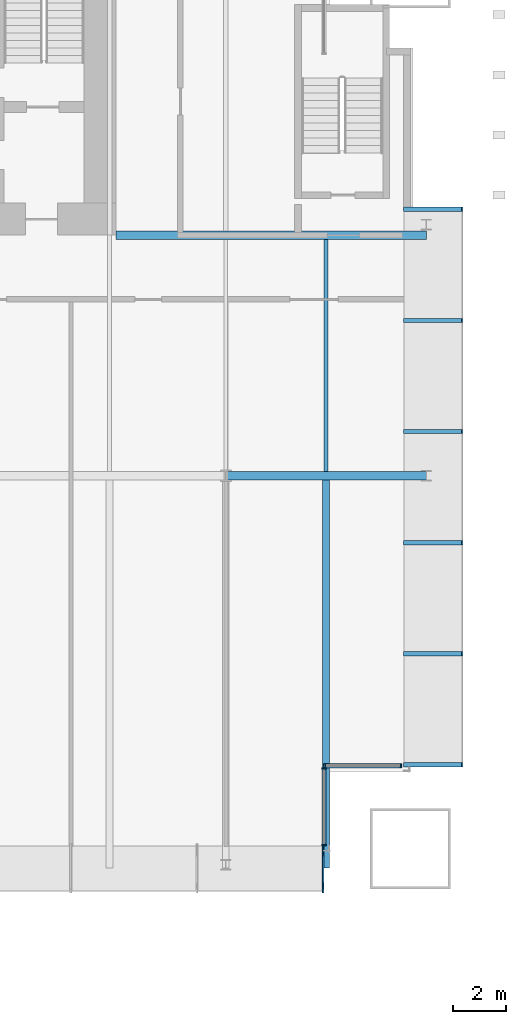
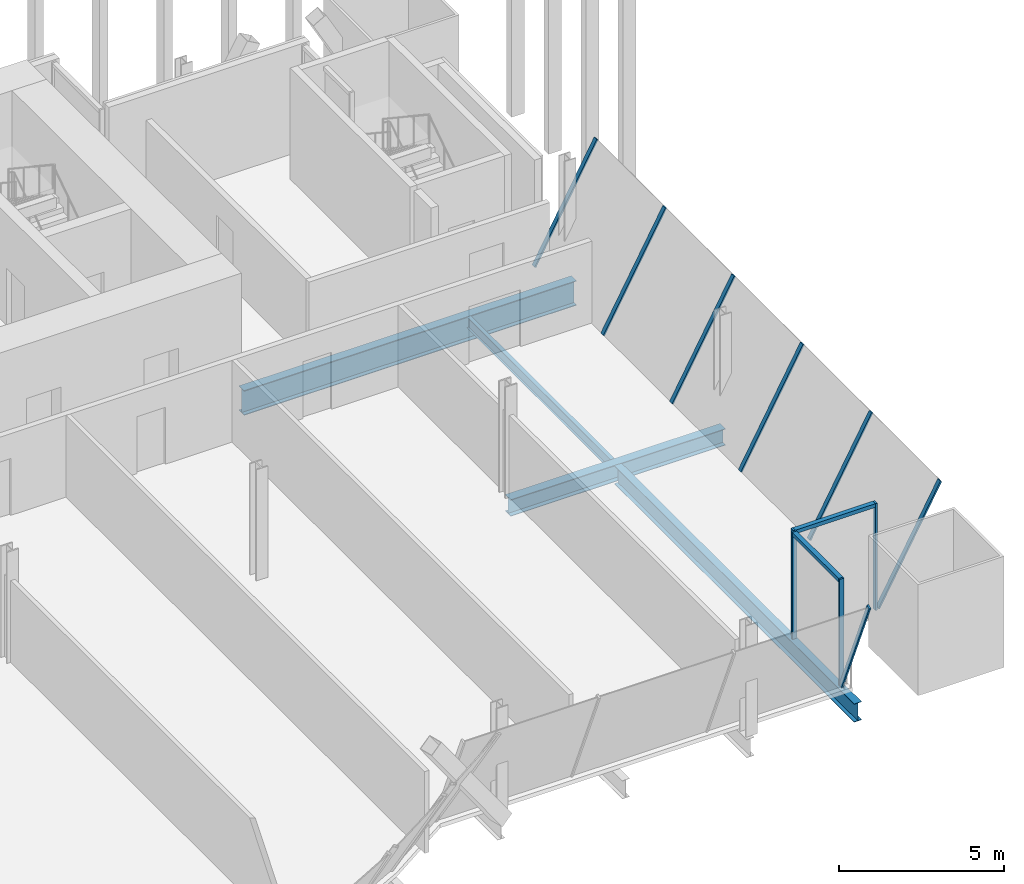
# One storey, part 13 of 22: 13 members, 4 beams, 4 elements without a shape of their own.
"""IFC4 building model written with IfcOpenShell, lengths in metres."""

from ifc_helpers import new_model, si_unit, direction, frame, origin, origin_2d, place, context, subcontext, project, spatial, rectangle, i_section, extrude, material, material_profile, profile_set, type_object, element, aggregate, save


model = new_model("IFC4")

# Units and contexts
model_context = context("Model", 3, precision=1e-05, world=origin(), true_north=direction((0.0, 1.0)))
body_context = subcontext(model_context, "Body", "Model", "MODEL_VIEW")
ifc_project = project(units=[si_unit("LENGTHUNIT", "METRE"), si_unit("AREAUNIT", "SQUARE_METRE"), si_unit("VOLUMEUNIT", "CUBIC_METRE"), si_unit("PLANEANGLEUNIT", "RADIAN"), si_unit("MASSUNIT", "GRAM", prefix="KILO")], contexts=[model_context])

# Site, building, storey
site_placement = place(None, origin())
site = spatial("IfcSite", under=ifc_project, at=site_placement, CompositionType="ELEMENT")
building_placement = place(site_placement, origin())
building = spatial("IfcBuilding", under=site, at=building_placement, Name="Bicima Exchange Tower", CompositionType="ELEMENT")
storey_placement = place(building_placement, frame((0.0, 0.0, 89.89990234375)))
storey = spatial("IfcBuildingStorey", under=building, at=storey_placement, Name="L18", CompositionType="ELEMENT", Elevation=89.89990234375)

# Beams
ifc_material_1 = material(Name="Steel ASTM A992 Gr 50", Category="steel")
ifc_material_profile_1 = material_profile(ifc_material_1, i_section(OverallWidth=0.3046875, OverallDepth=0.911865234375, WebThickness=0.015869140625, FlangeThickness=0.02392578125, at=origin_2d()))
ifc_profile_set_1 = profile_set([ifc_material_profile_1], Name="Steel ASTM A992 Gr 50")
beam_type_1 = type_object("IfcBeamType", Name="Core-line girder W36x150", PredefinedType="BEAM", material=ifc_profile_set_1)
beam_1_placement = place(storey_placement, frame((22.0, -13.0, -0.605712890625), z_axis=(1.0, 0.0, 0.0), x_axis=(0.0, 1.0, 0.0)))
element("IfcBeam", 1, at=beam_1_placement, inside=storey, type_object=beam_type_1, Name="Core-line girder", PredefinedType="BEAM", context=body_context, shape_type="SweptSolid", body=[
    extrude(i_section(OverallWidth=0.3046875, OverallDepth=0.911865234375, WebThickness=0.015869140625, FlangeThickness=0.02392578125, at=origin_2d()), origin(), (0.0, 0.0, 1.0), 11.60009765625),
])
ifc_material_profile_2 = material_profile(ifc_material_1, i_section(OverallWidth=0.140380859375, OverallDepth=0.40380859375, WebThickness=0.007080078125, FlangeThickness=0.01123046875, at=origin_2d()))
ifc_profile_set_2 = profile_set([ifc_material_profile_2], Name="Steel ASTM A992 Gr 50")
beam_type_2 = type_object("IfcBeamType", Name="Floor beam W16x31", PredefinedType="JOIST", material=ifc_profile_set_2)
beam_2_placement = place(storey_placement, frame((29.85009765625, -13.15234375, -0.351806640625), z_axis=(0.0, -1.0, 0.0), x_axis=(1.0, 0.0, 0.0)))
element("IfcBeam", 2, at=beam_2_placement, inside=storey, type_object=beam_type_2, Name="Floor beam", PredefinedType="JOIST", context=body_context, shape_type="SweptSolid", body=[
    extrude(i_section(OverallWidth=0.140380859375, OverallDepth=0.40380859375, WebThickness=0.007080078125, FlangeThickness=0.01123046875, at=origin_2d()), origin(), (0.0, 0.0, 1.0), 8.68505859375),
])
ifc_material_profile_3 = material_profile(ifc_material_1, i_section(OverallWidth=0.25390625, OverallDepth=0.67822265625, WebThickness=0.01171875, FlangeThickness=0.016357421875, at=origin_2d()))
ifc_profile_set_3 = profile_set([ifc_material_profile_3], Name="Steel ASTM A992 Gr 50")
beam_type_3 = type_object("IfcBeamType", Name="Floor beam W27x84", PredefinedType="JOIST", material=ifc_profile_set_3)
beam_3_placement = place(storey_placement, frame((29.85009765625, -22.16259765625, -0.489013671875), z_axis=(0.0, -1.0, 0.0), x_axis=(1.0, 0.0, 0.0)))
element("IfcBeam", 3, at=beam_3_placement, inside=storey, type_object=beam_type_3, Name="Floor beam", PredefinedType="JOIST", context=body_context, shape_type="SweptSolid", body=[
    extrude(i_section(OverallWidth=0.25390625, OverallDepth=0.67822265625, WebThickness=0.01171875, FlangeThickness=0.016357421875, at=origin_2d()), origin(), (0.0, 0.0, 1.0), 14.509521484375),
])

# Curtain wall, members
ifc_material_2 = material(Name="Anodised bronze aluminium", Category="aluminium")
curtain_wall_type = type_object("IfcCurtainWallType", Name="Front glass wall", PredefinedType="NOTDEFINED", material=ifc_material_2)
curtain_wall_1_placement = place(storey_placement, origin())
curtain_wall_1 = element("IfcCurtainWall", 4, at=curtain_wall_1_placement, inside=storey, type_object=curtain_wall_type, Name="Front glass wall L18 run 21", PredefinedType="NOTDEFINED")
ifc_material_profile_4 = material_profile(ifc_material_2, rectangle(XDim=0.159912109375, YDim=0.06005859375, at=origin_2d()))
ifc_profile_set_4 = profile_set([ifc_material_profile_4], Name="Anodised bronze aluminium")
member_type_1 = type_object("IfcMemberType", Name="Front glass wall mullion 60 x 160", PredefinedType="MULLION", material=ifc_profile_set_4)
member_1_placement = place(storey_placement, frame((29.77001953125, -35.81201171875, 0.0), z_axis=(0.0, 0.0, 1.0), x_axis=(-1.0, 0.0, 0.0)))
member_1 = element("IfcMember", 5, at=member_1_placement, type_object=member_type_1, Name="Front glass wall mullion 1", PredefinedType="MULLION", context=body_context, shape_type="SweptSolid", body=[
    extrude(rectangle(XDim=0.159912109375, YDim=0.06005859375, at=origin_2d()), origin(), (0.0, 0.0, 1.0), 3.9501953125),
])
member_2_placement = place(storey_placement, frame((29.77001953125, -32.951904296875, 0.0), z_axis=(0.0, 0.0, 1.0), x_axis=(-1.0, 0.0, 0.0)))
member_2 = element("IfcMember", 6, at=member_2_placement, type_object=member_type_1, Name="Front glass wall mullion 2", PredefinedType="MULLION", context=body_context, shape_type="SweptSolid", body=[
    extrude(rectangle(XDim=0.159912109375, YDim=0.06005859375, at=origin_2d()), origin(), (0.0, 0.0, 1.0), 3.9501953125),
])

curtain_wall_2_placement = place(storey_placement, origin())
curtain_wall_2 = element("IfcCurtainWall", 7, at=curtain_wall_2_placement, inside=storey, type_object=curtain_wall_type, Name="Front glass wall L18 run 22", PredefinedType="NOTDEFINED")
member_3_placement = place(storey_placement, frame((29.800048828125, -32.842041015625, 0.0), z_axis=(0.0, 0.0, 1.0), x_axis=(0.0, 1.0, 0.0)))
member_3 = element("IfcMember", 8, at=member_3_placement, type_object=member_type_1, Name="Front glass wall mullion 1", PredefinedType="MULLION", context=body_context, shape_type="SweptSolid", body=[
    extrude(rectangle(XDim=0.159912109375, YDim=0.06005859375, at=origin_2d()), origin(), (0.0, 0.0, 1.0), 3.9501953125),
])
member_4_placement = place(storey_placement, frame((32.659912109375, -32.842041015625, 0.0), z_axis=(0.0, 0.0, 1.0), x_axis=(0.0, 1.0, 0.0)))
member_4 = element("IfcMember", 9, at=member_4_placement, type_object=member_type_1, Name="Front glass wall mullion 2", PredefinedType="MULLION", context=body_context, shape_type="SweptSolid", body=[
    extrude(rectangle(XDim=0.159912109375, YDim=0.06005859375, at=origin_2d()), origin(), (0.0, 0.0, 1.0), 3.9501953125),
])

curtain_wall_3_placement = place(storey_placement, origin())
curtain_wall_3 = element("IfcCurtainWall", 10, at=curtain_wall_3_placement, inside=storey, type_object=curtain_wall_type, Name="Canted glass wall L18 1.1", PredefinedType="NOTDEFINED")
member_5_placement = place(storey_placement, frame((32.77001953125, -32.81201171875, 0.0), z_axis=(0.481086555324, 0.0, 0.876673101154), x_axis=(0.0, -1.0, 0.0)))
member_5 = element("IfcMember", 11, at=member_5_placement, type_object=member_type_1, Name="Canted glass mullion 1", PredefinedType="MULLION", context=body_context, shape_type="SweptSolid", body=[
    extrude(rectangle(XDim=0.159912109375, YDim=0.06005859375, at=origin_2d()), origin(), (0.0, 0.0, 1.0), 4.505859375),
])
member_6_placement = place(storey_placement, frame((32.77001953125, -28.655517578125, 0.0), z_axis=(0.481086555324, 0.0, 0.876673101154), x_axis=(0.0, -1.0, 0.0)))
member_6 = element("IfcMember", 12, at=member_6_placement, type_object=member_type_1, Name="Canted glass mullion 2", PredefinedType="MULLION", context=body_context, shape_type="SweptSolid", body=[
    extrude(rectangle(XDim=0.159912109375, YDim=0.06005859375, at=origin_2d()), origin(), (0.0, 0.0, 1.0), 4.505859375),
])
member_7_placement = place(storey_placement, frame((32.77001953125, -24.499267578125, 0.0), z_axis=(0.481086555324, 0.0, 0.876673101154), x_axis=(0.0, -1.0, 0.0)))
member_7 = element("IfcMember", 13, at=member_7_placement, type_object=member_type_1, Name="Canted glass mullion 3", PredefinedType="MULLION", context=body_context, shape_type="SweptSolid", body=[
    extrude(rectangle(XDim=0.159912109375, YDim=0.06005859375, at=origin_2d()), origin(), (0.0, 0.0, 1.0), 4.505859375),
])
member_8_placement = place(storey_placement, frame((32.77001953125, -20.3427734375, 0.0), z_axis=(0.481086555324, 0.0, 0.876673101154), x_axis=(0.0, -1.0, 0.0)))
member_8 = element("IfcMember", 14, at=member_8_placement, type_object=member_type_1, Name="Canted glass mullion 4", PredefinedType="MULLION", context=body_context, shape_type="SweptSolid", body=[
    extrude(rectangle(XDim=0.159912109375, YDim=0.06005859375, at=origin_2d()), origin(), (0.0, 0.0, 1.0), 4.505859375),
])
member_9_placement = place(storey_placement, frame((32.77001953125, -16.186279296875, 0.0), z_axis=(0.481086555324, 0.0, 0.876673101154), x_axis=(0.0, -1.0, 0.0)))
member_9 = element("IfcMember", 15, at=member_9_placement, type_object=member_type_1, Name="Canted glass mullion 5", PredefinedType="MULLION", context=body_context, shape_type="SweptSolid", body=[
    extrude(rectangle(XDim=0.159912109375, YDim=0.06005859375, at=origin_2d()), origin(), (0.0, 0.0, 1.0), 4.505859375),
])
member_10_placement = place(storey_placement, frame((32.77001953125, -12.030029296875, 0.0), z_axis=(0.481086555324, 0.0, 0.876673101154), x_axis=(0.0, -1.0, 0.0)))
member_10 = element("IfcMember", 16, at=member_10_placement, type_object=member_type_1, Name="Canted glass mullion 6", PredefinedType="MULLION", context=body_context, shape_type="SweptSolid", body=[
    extrude(rectangle(XDim=0.159912109375, YDim=0.06005859375, at=origin_2d()), origin(), (0.0, 0.0, 1.0), 4.505859375),
])
aggregate(curtain_wall_3, [member_5, member_6, member_7, member_8, member_9, member_10])

# Curtain wall, member
curtain_wall_4_placement = place(storey_placement, origin())
curtain_wall_4 = element("IfcCurtainWall", 17, at=curtain_wall_4_placement, inside=storey, type_object=curtain_wall_type, Name="Canted glass wall L18 54.1", PredefinedType="NOTDEFINED")
member_11_placement = place(storey_placement, frame((29.739990234375, -35.842041015625, 0.0), z_axis=(0.0, -0.392560507207, 0.91972618109), x_axis=(0.0, 0.91972618109, 0.392560507207)))
member_11 = element("IfcMember", 18, at=member_11_placement, type_object=member_type_1, Name="Canted glass mullion 4", PredefinedType="MULLION", context=body_context, shape_type="SweptSolid", body=[
    extrude(rectangle(XDim=0.159912109375, YDim=0.06005859375, at=origin_2d()), origin(), (0.0, 0.0, 1.0), 4.294921875),
])
aggregate(curtain_wall_4, [member_11])

# Member
ifc_material_profile_5 = material_profile(ifc_material_2, rectangle(XDim=0.159912109375, YDim=0.139892578125, at=origin_2d()))
ifc_profile_set_5 = profile_set([ifc_material_profile_5], Name="Anodised bronze aluminium")
member_type_2 = type_object("IfcMemberType", Name="Front glass wall transom 140 x 160", PredefinedType="USERDEFINED", material=ifc_profile_set_5)
member_12_placement = place(storey_placement, frame((29.77001953125, -35.781982421875, 3.880126953125), z_axis=(0.0, 1.0, 0.0), x_axis=(-1.0, 0.0, 0.0)))
member_12 = element("IfcMember", 19, at=member_12_placement, type_object=member_type_2, Name="Front glass wall transom 1.1", ObjectType="TRANSOM", PredefinedType="USERDEFINED", context=body_context, shape_type="SweptSolid", body=[
    extrude(rectangle(XDim=0.159912109375, YDim=0.139892578125, at=origin_2d()), origin(), (0.0, 0.0, 1.0), 2.800048828125),
])

aggregate(curtain_wall_1, [member_1, member_2, member_12])

member_13_placement = place(storey_placement, frame((29.830078125, -32.842041015625, 3.880126953125), z_axis=(1.0, 0.0, 0.0), x_axis=(0.0, 1.0, 0.0)))
member_13 = element("IfcMember", 20, at=member_13_placement, type_object=member_type_2, Name="Front glass wall transom 1.1", ObjectType="TRANSOM", PredefinedType="USERDEFINED", context=body_context, shape_type="SweptSolid", body=[
    extrude(rectangle(XDim=0.159912109375, YDim=0.139892578125, at=origin_2d()), origin(), (0.0, 0.0, 1.0), 2.7998046875),
])

aggregate(curtain_wall_2, [member_3, member_4, member_13])

# Beam
ifc_material_profile_6 = material_profile(ifc_material_1, i_section(OverallWidth=0.3251953125, OverallDepth=0.612060546875, WebThickness=0.0126953125, FlangeThickness=0.01904296875, at=origin_2d()))
ifc_profile_set_6 = profile_set([ifc_material_profile_6], Name="Steel ASTM A992 Gr 50")
beam_type_4 = type_object("IfcBeamType", Name="Row girder W24x104", PredefinedType="BEAM", material=ifc_profile_set_6)
beam_4_placement = place(storey_placement, frame((26.10009765625, -22.0, -0.4560546875), z_axis=(1.0, 0.0, 0.0), x_axis=(0.0, 1.0, 0.0)))
element("IfcBeam", 21, at=beam_4_placement, inside=storey, type_object=beam_type_4, Name="Row girder", PredefinedType="BEAM", context=body_context, shape_type="SweptSolid", body=[
    extrude(i_section(OverallWidth=0.3251953125, OverallDepth=0.612060546875, WebThickness=0.0126953125, FlangeThickness=0.01904296875, at=origin_2d()), origin(), (0.0, 0.0, 1.0), 7.5),
])

save(model, "model.ifc")
